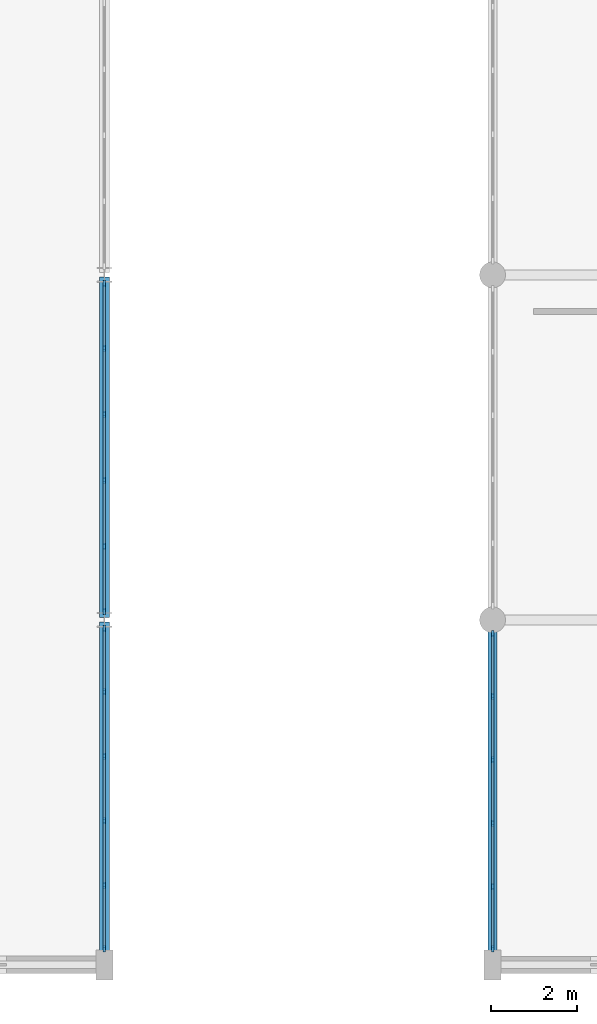
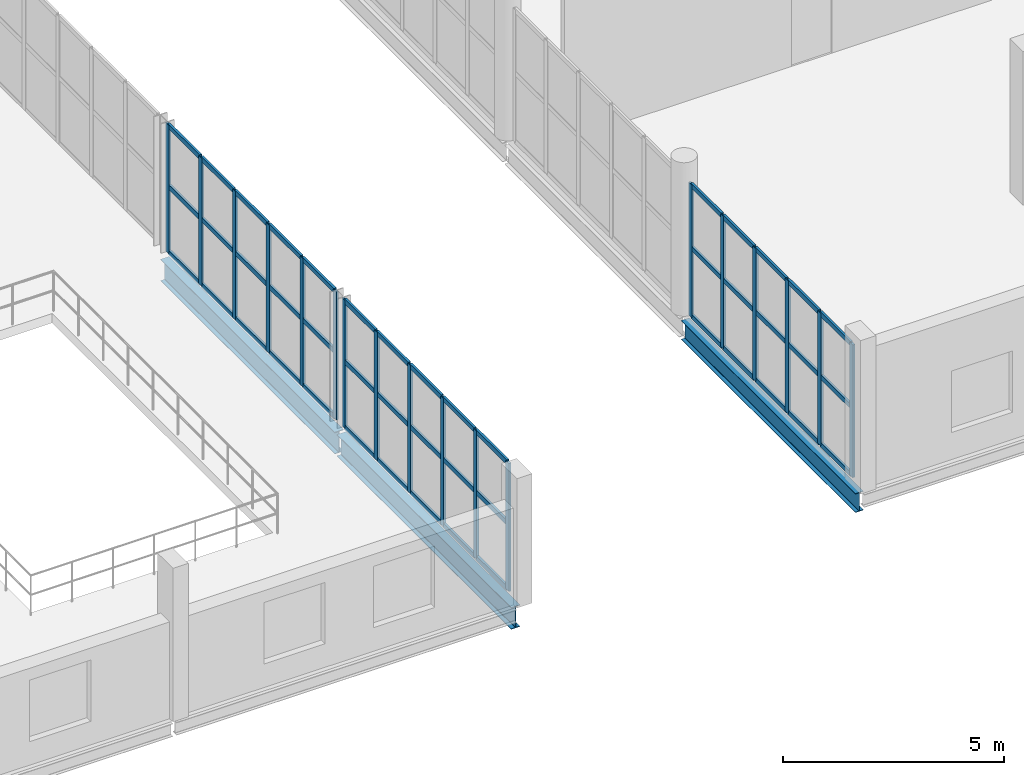
# One storey, part 24 of 73: 63 members, 3 beams, 3 elements without a shape of their own.
"""IFC4 building model written with IfcOpenShell, lengths in metres."""

from ifc_helpers import new_model, si_unit, direction, frame, origin, origin_2d, place, context, subcontext, project, spatial, rectangle, i_section, extrude, material, layer, layer_set, material_profile, profile_set, type_object, element, aggregate, save


model = new_model("IFC4")

# Units and contexts
model_context = context("Model", 3, precision=1e-05, world=origin(), true_north=direction((0.0, 1.0)))
body_context = subcontext(model_context, "Body", "Model", "MODEL_VIEW")
ifc_project = project(units=[si_unit("LENGTHUNIT", "METRE"), si_unit("AREAUNIT", "SQUARE_METRE"), si_unit("VOLUMEUNIT", "CUBIC_METRE"), si_unit("PLANEANGLEUNIT", "RADIAN"), si_unit("MASSUNIT", "GRAM", prefix="KILO")], contexts=[model_context])

# Site, building, storey
site_placement = place(None, origin())
site = spatial("IfcSite", under=ifc_project, at=site_placement, CompositionType="ELEMENT")
building_placement = place(site_placement, origin())
building = spatial("IfcBuilding", under=site, at=building_placement, Name="Marnock Terrace Opera House", CompositionType="ELEMENT")
storey_placement = place(building_placement, frame((0.0, 0.0, 14.699951171875)))
storey = spatial("IfcBuildingStorey", under=building, at=storey_placement, Name="L03", CompositionType="ELEMENT", Elevation=14.699951171875)

# Beams
ifc_material_1 = material(Name="Steel Grade 350 (AS/NZS 3679.1)", Category="steel")
ifc_material_profile_1 = material_profile(ifc_material_1, i_section(OverallWidth=0.208984375, OverallDepth=0.528076171875, WebThickness=0.009521484375, FlangeThickness=0.01318359375, FilletRadius=0.013916015625, at=origin_2d()))
ifc_profile_set_1 = profile_set([ifc_material_profile_1], Name="Steel Grade 350 (AS/NZS 3679.1)")
beam_type_1 = type_object("IfcBeamType", Name="BM-GIRD-530B", PredefinedType="BEAM", material=ifc_profile_set_1)
beam_placement = place(storey_placement, frame((118.0, 8.050048828125, -0.52392578125), z_axis=(0.0, 1.0, 0.0), x_axis=(-1.0, 0.0, 0.0)))
element("IfcBeam", 1, at=beam_placement, inside=storey, type_object=beam_type_1, Name="L03 girder (X=118.0, 8.0..16.0)", PredefinedType="BEAM", context=body_context, shape_type="SweptSolid", body=[
    extrude(i_section(OverallWidth=0.208984375, OverallDepth=0.528076171875, WebThickness=0.009521484375, FlangeThickness=0.01318359375, FilletRadius=0.013916015625, at=origin_2d()), origin(), (0.0, 0.0, 1.0), 7.89990234375),
])
ifc_material_profile_2 = material_profile(ifc_material_1, i_section(OverallWidth=0.22802734375, OverallDepth=0.60205078125, WebThickness=0.010498046875, FlangeThickness=0.014892578125, FilletRadius=0.013916015625, at=origin_2d()))
ifc_profile_set_2 = profile_set([ifc_material_profile_2], Name="Steel Grade 350 (AS/NZS 3679.1)")
beam_type_2 = type_object("IfcBeamType", Name="BM-GIRD-610C", PredefinedType="BEAM", material=ifc_profile_set_2)
for number, where, z_axis, x_axis, name in (
    (2, (109.0, 8.050048828125, -0.56103515625), (0.0, 1.0, 0.0), (-1.0, 0.0, 0.0), "L03 girder (X=109.0, 8.0..16.0)"),
    (3, (109.0, 16.050048828125, -0.56103515625), (0.0, 1.0, 0.0), (-1.0, 0.0, 0.0), "L03 girder (X=109.0, 16.0..24.0)"),
):
    element("IfcBeam", number, at=place(storey_placement, frame(where, z_axis=z_axis, x_axis=x_axis)), inside=storey, type_object=beam_type_2, Name=name, PredefinedType="BEAM", context=body_context, shape_type="SweptSolid", body=[
        extrude(i_section(OverallWidth=0.22802734375, OverallDepth=0.60205078125, WebThickness=0.010498046875, FlangeThickness=0.014892578125, FilletRadius=0.013916015625, at=origin_2d()), origin(), (0.0, 0.0, 1.0), 7.89990234375),
    ])

# Curtain wall, members
ifc_material_2 = material(Name="Anodised architectural bronze aluminium framing", Category="aluminium")
ifc_layer_1 = layer(ifc_material_2, 0.159912109375)
ifc_layer_set_1 = layer_set([ifc_layer_1], Name="Anodised architectural bronze aluminium framing")
curtain_wall_type_1 = type_object("IfcCurtainWallType", Name="CW-FOYER-80x42", PredefinedType="NOTDEFINED", material=ifc_layer_set_1)
curtain_wall_1_placement = place(storey_placement, origin())
curtain_wall_1 = element("IfcCurtainWall", 4, at=curtain_wall_1_placement, inside=storey, type_object=curtain_wall_type_1, Name="L03 glazed Beaux-Arts colonnade curtain wall CW-V1E-L03-01", PredefinedType="NOTDEFINED")
ifc_material_profile_3 = material_profile(ifc_material_2, rectangle(XDim=0.06005859375, YDim=0.14990234375, at=origin_2d()))
ifc_profile_set_3 = profile_set([ifc_material_profile_3], Name="Anodised architectural bronze aluminium framing")
member_type_1 = type_object("IfcMemberType", Name="CWM-60x150", PredefinedType="MULLION", material=ifc_profile_set_3)
member_1_placement = place(storey_placement, frame((109.0, 8.3759765625, 0.0), z_axis=(0.0, 0.0, 1.0), x_axis=(-1.0, 0.0, 0.0)))
member_1 = element("IfcMember", 5, at=member_1_placement, type_object=member_type_1, Name="CW-62 mullion 1", PredefinedType="MULLION", context=body_context, shape_type="SweptSolid", body=[
    extrude(rectangle(XDim=0.06005859375, YDim=0.14990234375, at=origin_2d()), origin(), (0.0, 0.0, 1.0), 3.546142578125),
])
member_2_placement = place(storey_placement, frame((109.0, 9.842529296875, 0.0), z_axis=(0.0, 0.0, 1.0), x_axis=(-1.0, 0.0, 0.0)))
member_2 = element("IfcMember", 6, at=member_2_placement, type_object=member_type_1, Name="CW-62 mullion 2", PredefinedType="MULLION", context=body_context, shape_type="SweptSolid", body=[
    extrude(rectangle(XDim=0.06005859375, YDim=0.14990234375, at=origin_2d()), origin(), (0.0, 0.0, 1.0), 3.546142578125),
])
member_3_placement = place(storey_placement, frame((109.0, 11.339111328125, 0.0), z_axis=(0.0, 0.0, 1.0), x_axis=(-1.0, 0.0, 0.0)))
member_3 = element("IfcMember", 7, at=member_3_placement, type_object=member_type_1, Name="CW-62 mullion 3", PredefinedType="MULLION", context=body_context, shape_type="SweptSolid", body=[
    extrude(rectangle(XDim=0.06005859375, YDim=0.14990234375, at=origin_2d()), origin(), (0.0, 0.0, 1.0), 3.546142578125),
])
member_4_placement = place(storey_placement, frame((109.0, 12.835693359375, 0.0), z_axis=(0.0, 0.0, 1.0), x_axis=(-1.0, 0.0, 0.0)))
member_4 = element("IfcMember", 8, at=member_4_placement, type_object=member_type_1, Name="CW-62 mullion 4", PredefinedType="MULLION", context=body_context, shape_type="SweptSolid", body=[
    extrude(rectangle(XDim=0.06005859375, YDim=0.14990234375, at=origin_2d()), origin(), (0.0, 0.0, 1.0), 3.546142578125),
])
member_5_placement = place(storey_placement, frame((109.0, 14.33251953125, 0.0), z_axis=(0.0, 0.0, 1.0), x_axis=(-1.0, 0.0, 0.0)))
member_5 = element("IfcMember", 9, at=member_5_placement, type_object=member_type_1, Name="CW-62 mullion 5", PredefinedType="MULLION", context=body_context, shape_type="SweptSolid", body=[
    extrude(rectangle(XDim=0.06005859375, YDim=0.14990234375, at=origin_2d()), origin(), (0.0, 0.0, 1.0), 3.546142578125),
])
member_6_placement = place(storey_placement, frame((109.0, 15.799072265625, 0.0), z_axis=(0.0, 0.0, 1.0), x_axis=(-1.0, 0.0, 0.0)))
member_6 = element("IfcMember", 10, at=member_6_placement, type_object=member_type_1, Name="CW-62 mullion 6", PredefinedType="MULLION", context=body_context, shape_type="SweptSolid", body=[
    extrude(rectangle(XDim=0.06005859375, YDim=0.14990234375, at=origin_2d()), origin(), (0.0, 0.0, 1.0), 3.546142578125),
])

curtain_wall_2_placement = place(storey_placement, origin())
curtain_wall_2 = element("IfcCurtainWall", 11, at=curtain_wall_2_placement, inside=storey, type_object=curtain_wall_type_1, Name="L03 glazed Beaux-Arts colonnade curtain wall CW-V1E-L03-02", PredefinedType="NOTDEFINED")
member_7_placement = place(storey_placement, frame((109.0, 16.200927734375, 0.0), z_axis=(0.0, 0.0, 1.0), x_axis=(-1.0, 0.0, 0.0)))
member_7 = element("IfcMember", 12, at=member_7_placement, type_object=member_type_1, Name="CW-62 mullion 1", PredefinedType="MULLION", context=body_context, shape_type="SweptSolid", body=[
    extrude(rectangle(XDim=0.06005859375, YDim=0.14990234375, at=origin_2d()), origin(), (0.0, 0.0, 1.0), 3.546142578125),
])
member_8_placement = place(storey_placement, frame((109.0, 17.70263671875, 0.0), z_axis=(0.0, 0.0, 1.0), x_axis=(-1.0, 0.0, 0.0)))
member_8 = element("IfcMember", 13, at=member_8_placement, type_object=member_type_1, Name="CW-62 mullion 2", PredefinedType="MULLION", context=body_context, shape_type="SweptSolid", body=[
    extrude(rectangle(XDim=0.06005859375, YDim=0.14990234375, at=origin_2d()), origin(), (0.0, 0.0, 1.0), 3.546142578125),
])
member_9_placement = place(storey_placement, frame((109.0, 19.234130859375, 0.0), z_axis=(0.0, 0.0, 1.0), x_axis=(-1.0, 0.0, 0.0)))
member_9 = element("IfcMember", 14, at=member_9_placement, type_object=member_type_1, Name="CW-62 mullion 3", PredefinedType="MULLION", context=body_context, shape_type="SweptSolid", body=[
    extrude(rectangle(XDim=0.06005859375, YDim=0.14990234375, at=origin_2d()), origin(), (0.0, 0.0, 1.0), 3.546142578125),
])
member_10_placement = place(storey_placement, frame((109.0, 20.765869140625, 0.0), z_axis=(0.0, 0.0, 1.0), x_axis=(-1.0, 0.0, 0.0)))
member_10 = element("IfcMember", 15, at=member_10_placement, type_object=member_type_1, Name="CW-62 mullion 4", PredefinedType="MULLION", context=body_context, shape_type="SweptSolid", body=[
    extrude(rectangle(XDim=0.06005859375, YDim=0.14990234375, at=origin_2d()), origin(), (0.0, 0.0, 1.0), 3.546142578125),
])
member_11_placement = place(storey_placement, frame((109.0, 22.29736328125, 0.0), z_axis=(0.0, 0.0, 1.0), x_axis=(-1.0, 0.0, 0.0)))
member_11 = element("IfcMember", 16, at=member_11_placement, type_object=member_type_1, Name="CW-62 mullion 5", PredefinedType="MULLION", context=body_context, shape_type="SweptSolid", body=[
    extrude(rectangle(XDim=0.06005859375, YDim=0.14990234375, at=origin_2d()), origin(), (0.0, 0.0, 1.0), 3.546142578125),
])
member_12_placement = place(storey_placement, frame((109.0, 23.799072265625, 0.0), z_axis=(0.0, 0.0, 1.0), x_axis=(-1.0, 0.0, 0.0)))
member_12 = element("IfcMember", 17, at=member_12_placement, type_object=member_type_1, Name="CW-62 mullion 6", PredefinedType="MULLION", context=body_context, shape_type="SweptSolid", body=[
    extrude(rectangle(XDim=0.06005859375, YDim=0.14990234375, at=origin_2d()), origin(), (0.0, 0.0, 1.0), 3.546142578125),
])

ifc_layer_2 = layer(ifc_material_2, 0.159912109375)
ifc_layer_set_2 = layer_set([ifc_layer_2], Name="Anodised architectural bronze aluminium framing")
curtain_wall_type_2 = type_object("IfcCurtainWallType", Name="CW-LOGGIA-86x42", PredefinedType="NOTDEFINED", material=ifc_layer_set_2)
curtain_wall_3_placement = place(storey_placement, origin())
curtain_wall_3 = element("IfcCurtainWall", 18, at=curtain_wall_3_placement, inside=storey, type_object=curtain_wall_type_2, Name="L03 glazed Beaux-Arts colonnade curtain wall CW-V5-L03-W1", PredefinedType="NOTDEFINED")
member_13_placement = place(storey_placement, frame((118.0, 8.3759765625, 0.0), z_axis=(0.0, 0.0, 1.0), x_axis=(-1.0, 0.0, 0.0)))
member_13 = element("IfcMember", 19, at=member_13_placement, type_object=member_type_1, Name="CW-66 mullion 1", PredefinedType="MULLION", context=body_context, shape_type="SweptSolid", body=[
    extrude(rectangle(XDim=0.06005859375, YDim=0.14990234375, at=origin_2d()), origin(), (0.0, 0.0, 1.0), 3.672119140625),
])
member_14_placement = place(storey_placement, frame((118.0, 9.817626953125, 0.0), z_axis=(0.0, 0.0, 1.0), x_axis=(-1.0, 0.0, 0.0)))
member_14 = element("IfcMember", 20, at=member_14_placement, type_object=member_type_1, Name="CW-66 mullion 2", PredefinedType="MULLION", context=body_context, shape_type="SweptSolid", body=[
    extrude(rectangle(XDim=0.06005859375, YDim=0.14990234375, at=origin_2d()), origin(), (0.0, 0.0, 1.0), 3.672119140625),
])
member_15_placement = place(storey_placement, frame((118.0, 11.289306640625, 0.0), z_axis=(0.0, 0.0, 1.0), x_axis=(-1.0, 0.0, 0.0)))
member_15 = element("IfcMember", 21, at=member_15_placement, type_object=member_type_1, Name="CW-66 mullion 3", PredefinedType="MULLION", context=body_context, shape_type="SweptSolid", body=[
    extrude(rectangle(XDim=0.06005859375, YDim=0.14990234375, at=origin_2d()), origin(), (0.0, 0.0, 1.0), 3.672119140625),
])
member_16_placement = place(storey_placement, frame((118.0, 12.7607421875, 0.0), z_axis=(0.0, 0.0, 1.0), x_axis=(-1.0, 0.0, 0.0)))
member_16 = element("IfcMember", 22, at=member_16_placement, type_object=member_type_1, Name="CW-66 mullion 4", PredefinedType="MULLION", context=body_context, shape_type="SweptSolid", body=[
    extrude(rectangle(XDim=0.06005859375, YDim=0.14990234375, at=origin_2d()), origin(), (0.0, 0.0, 1.0), 3.672119140625),
])
member_17_placement = place(storey_placement, frame((118.0, 14.232421875, 0.0), z_axis=(0.0, 0.0, 1.0), x_axis=(-1.0, 0.0, 0.0)))
member_17 = element("IfcMember", 23, at=member_17_placement, type_object=member_type_1, Name="CW-66 mullion 5", PredefinedType="MULLION", context=body_context, shape_type="SweptSolid", body=[
    extrude(rectangle(XDim=0.06005859375, YDim=0.14990234375, at=origin_2d()), origin(), (0.0, 0.0, 1.0), 3.672119140625),
])
member_18_placement = place(storey_placement, frame((118.0, 15.674072265625, 0.0), z_axis=(0.0, 0.0, 1.0), x_axis=(-1.0, 0.0, 0.0)))
member_18 = element("IfcMember", 24, at=member_18_placement, type_object=member_type_1, Name="CW-66 mullion 6", PredefinedType="MULLION", context=body_context, shape_type="SweptSolid", body=[
    extrude(rectangle(XDim=0.06005859375, YDim=0.14990234375, at=origin_2d()), origin(), (0.0, 0.0, 1.0), 3.672119140625),
])

# Member
ifc_material_profile_4 = material_profile(ifc_material_2, rectangle(XDim=0.06005859375, YDim=0.1298828125, at=origin_2d()))
ifc_profile_set_4 = profile_set([ifc_material_profile_4], Name="Anodised architectural bronze aluminium framing")
member_type_2 = type_object("IfcMemberType", Name="CWT-60x130", PredefinedType="USERDEFINED", material=ifc_profile_set_4)
member_19_placement = place(storey_placement, frame((109.0, 8.406005859375, 0.030029296875), z_axis=(0.0, 1.0, 0.0), x_axis=(-1.0, 0.0, 0.0)))
member_19 = element("IfcMember", 25, at=member_19_placement, type_object=member_type_2, Name="CW-62 transom 1.1", ObjectType="TRANSOM", PredefinedType="USERDEFINED", context=body_context, shape_type="SweptSolid", body=[
    extrude(rectangle(XDim=0.06005859375, YDim=0.1298828125, at=origin_2d()), origin(), (0.0, 0.0, 1.0), 1.406494140625),
])

member_20_placement = place(storey_placement, frame((109.0, 8.406005859375, 1.843994140625), z_axis=(0.0, 1.0, 0.0), x_axis=(-1.0, 0.0, 0.0)))
member_20 = element("IfcMember", 26, at=member_20_placement, type_object=member_type_2, Name="CW-62 transom 1.2", ObjectType="TRANSOM", PredefinedType="USERDEFINED", context=body_context, shape_type="SweptSolid", body=[
    extrude(rectangle(XDim=0.06005859375, YDim=0.1298828125, at=origin_2d()), origin(), (0.0, 0.0, 1.0), 1.406494140625),
])

member_21_placement = place(storey_placement, frame((109.0, 8.406005859375, 3.51611328125), z_axis=(0.0, 1.0, 0.0), x_axis=(-1.0, 0.0, 0.0)))
member_21 = element("IfcMember", 27, at=member_21_placement, type_object=member_type_2, Name="CW-62 transom 1.3", ObjectType="TRANSOM", PredefinedType="USERDEFINED", context=body_context, shape_type="SweptSolid", body=[
    extrude(rectangle(XDim=0.06005859375, YDim=0.1298828125, at=origin_2d()), origin(), (0.0, 0.0, 1.0), 1.406494140625),
])

member_22_placement = place(storey_placement, frame((109.0, 9.87255859375, 0.030029296875), z_axis=(0.0, 1.0, 0.0), x_axis=(-1.0, 0.0, 0.0)))
member_22 = element("IfcMember", 28, at=member_22_placement, type_object=member_type_2, Name="CW-62 transom 2.1", ObjectType="TRANSOM", PredefinedType="USERDEFINED", context=body_context, shape_type="SweptSolid", body=[
    extrude(rectangle(XDim=0.06005859375, YDim=0.1298828125, at=origin_2d()), origin(), (0.0, 0.0, 1.0), 1.4365234375),
])

member_23_placement = place(storey_placement, frame((109.0, 9.87255859375, 1.843994140625), z_axis=(0.0, 1.0, 0.0), x_axis=(-1.0, 0.0, 0.0)))
member_23 = element("IfcMember", 29, at=member_23_placement, type_object=member_type_2, Name="CW-62 transom 2.2", ObjectType="TRANSOM", PredefinedType="USERDEFINED", context=body_context, shape_type="SweptSolid", body=[
    extrude(rectangle(XDim=0.06005859375, YDim=0.1298828125, at=origin_2d()), origin(), (0.0, 0.0, 1.0), 1.4365234375),
])

member_24_placement = place(storey_placement, frame((109.0, 9.87255859375, 3.51611328125), z_axis=(0.0, 1.0, 0.0), x_axis=(-1.0, 0.0, 0.0)))
member_24 = element("IfcMember", 30, at=member_24_placement, type_object=member_type_2, Name="CW-62 transom 2.3", ObjectType="TRANSOM", PredefinedType="USERDEFINED", context=body_context, shape_type="SweptSolid", body=[
    extrude(rectangle(XDim=0.06005859375, YDim=0.1298828125, at=origin_2d()), origin(), (0.0, 0.0, 1.0), 1.4365234375),
])

member_25_placement = place(storey_placement, frame((109.0, 11.369140625, 0.030029296875), z_axis=(0.0, 1.0, 0.0), x_axis=(-1.0, 0.0, 0.0)))
member_25 = element("IfcMember", 31, at=member_25_placement, type_object=member_type_2, Name="CW-62 transom 3.1", ObjectType="TRANSOM", PredefinedType="USERDEFINED", context=body_context, shape_type="SweptSolid", body=[
    extrude(rectangle(XDim=0.06005859375, YDim=0.1298828125, at=origin_2d()), origin(), (0.0, 0.0, 1.0), 1.436767578125),
])

member_26_placement = place(storey_placement, frame((109.0, 11.369140625, 1.843994140625), z_axis=(0.0, 1.0, 0.0), x_axis=(-1.0, 0.0, 0.0)))
member_26 = element("IfcMember", 32, at=member_26_placement, type_object=member_type_2, Name="CW-62 transom 3.2", ObjectType="TRANSOM", PredefinedType="USERDEFINED", context=body_context, shape_type="SweptSolid", body=[
    extrude(rectangle(XDim=0.06005859375, YDim=0.1298828125, at=origin_2d()), origin(), (0.0, 0.0, 1.0), 1.436767578125),
])

member_27_placement = place(storey_placement, frame((109.0, 11.369140625, 3.51611328125), z_axis=(0.0, 1.0, 0.0), x_axis=(-1.0, 0.0, 0.0)))
member_27 = element("IfcMember", 33, at=member_27_placement, type_object=member_type_2, Name="CW-62 transom 3.3", ObjectType="TRANSOM", PredefinedType="USERDEFINED", context=body_context, shape_type="SweptSolid", body=[
    extrude(rectangle(XDim=0.06005859375, YDim=0.1298828125, at=origin_2d()), origin(), (0.0, 0.0, 1.0), 1.436767578125),
])

member_28_placement = place(storey_placement, frame((109.0, 12.86572265625, 0.030029296875), z_axis=(0.0, 1.0, 0.0), x_axis=(-1.0, 0.0, 0.0)))
member_28 = element("IfcMember", 34, at=member_28_placement, type_object=member_type_2, Name="CW-62 transom 4.1", ObjectType="TRANSOM", PredefinedType="USERDEFINED", context=body_context, shape_type="SweptSolid", body=[
    extrude(rectangle(XDim=0.06005859375, YDim=0.1298828125, at=origin_2d()), origin(), (0.0, 0.0, 1.0), 1.436767578125),
])

member_29_placement = place(storey_placement, frame((109.0, 12.86572265625, 1.843994140625), z_axis=(0.0, 1.0, 0.0), x_axis=(-1.0, 0.0, 0.0)))
member_29 = element("IfcMember", 35, at=member_29_placement, type_object=member_type_2, Name="CW-62 transom 4.2", ObjectType="TRANSOM", PredefinedType="USERDEFINED", context=body_context, shape_type="SweptSolid", body=[
    extrude(rectangle(XDim=0.06005859375, YDim=0.1298828125, at=origin_2d()), origin(), (0.0, 0.0, 1.0), 1.436767578125),
])

member_30_placement = place(storey_placement, frame((109.0, 12.86572265625, 3.51611328125), z_axis=(0.0, 1.0, 0.0), x_axis=(-1.0, 0.0, 0.0)))
member_30 = element("IfcMember", 36, at=member_30_placement, type_object=member_type_2, Name="CW-62 transom 4.3", ObjectType="TRANSOM", PredefinedType="USERDEFINED", context=body_context, shape_type="SweptSolid", body=[
    extrude(rectangle(XDim=0.06005859375, YDim=0.1298828125, at=origin_2d()), origin(), (0.0, 0.0, 1.0), 1.436767578125),
])

member_31_placement = place(storey_placement, frame((109.0, 14.3623046875, 0.030029296875), z_axis=(0.0, 1.0, 0.0), x_axis=(-1.0, 0.0, 0.0)))
member_31 = element("IfcMember", 37, at=member_31_placement, type_object=member_type_2, Name="CW-62 transom 5.1", ObjectType="TRANSOM", PredefinedType="USERDEFINED", context=body_context, shape_type="SweptSolid", body=[
    extrude(rectangle(XDim=0.06005859375, YDim=0.1298828125, at=origin_2d()), origin(), (0.0, 0.0, 1.0), 1.40673828125),
])

member_32_placement = place(storey_placement, frame((109.0, 14.3623046875, 1.843994140625), z_axis=(0.0, 1.0, 0.0), x_axis=(-1.0, 0.0, 0.0)))
member_32 = element("IfcMember", 38, at=member_32_placement, type_object=member_type_2, Name="CW-62 transom 5.2", ObjectType="TRANSOM", PredefinedType="USERDEFINED", context=body_context, shape_type="SweptSolid", body=[
    extrude(rectangle(XDim=0.06005859375, YDim=0.1298828125, at=origin_2d()), origin(), (0.0, 0.0, 1.0), 1.40673828125),
])

member_33_placement = place(storey_placement, frame((109.0, 14.3623046875, 3.51611328125), z_axis=(0.0, 1.0, 0.0), x_axis=(-1.0, 0.0, 0.0)))
member_33 = element("IfcMember", 39, at=member_33_placement, type_object=member_type_2, Name="CW-62 transom 5.3", ObjectType="TRANSOM", PredefinedType="USERDEFINED", context=body_context, shape_type="SweptSolid", body=[
    extrude(rectangle(XDim=0.06005859375, YDim=0.1298828125, at=origin_2d()), origin(), (0.0, 0.0, 1.0), 1.40673828125),
])

aggregate(curtain_wall_1, [member_1, member_2, member_3, member_4, member_5, member_6, member_19, member_20, member_21, member_22, member_23, member_24, member_25, member_26, member_27, member_28, member_29, member_30, member_31, member_32, member_33])

member_34_placement = place(storey_placement, frame((109.0, 16.23095703125, 0.030029296875), z_axis=(0.0, 1.0, 0.0), x_axis=(-1.0, 0.0, 0.0)))
member_34 = element("IfcMember", 40, at=member_34_placement, type_object=member_type_2, Name="CW-62 transom 1.1", ObjectType="TRANSOM", PredefinedType="USERDEFINED", context=body_context, shape_type="SweptSolid", body=[
    extrude(rectangle(XDim=0.06005859375, YDim=0.1298828125, at=origin_2d()), origin(), (0.0, 0.0, 1.0), 1.441650390625),
])

member_35_placement = place(storey_placement, frame((109.0, 16.23095703125, 1.843994140625), z_axis=(0.0, 1.0, 0.0), x_axis=(-1.0, 0.0, 0.0)))
member_35 = element("IfcMember", 41, at=member_35_placement, type_object=member_type_2, Name="CW-62 transom 1.2", ObjectType="TRANSOM", PredefinedType="USERDEFINED", context=body_context, shape_type="SweptSolid", body=[
    extrude(rectangle(XDim=0.06005859375, YDim=0.1298828125, at=origin_2d()), origin(), (0.0, 0.0, 1.0), 1.441650390625),
])

member_36_placement = place(storey_placement, frame((109.0, 16.23095703125, 3.51611328125), z_axis=(0.0, 1.0, 0.0), x_axis=(-1.0, 0.0, 0.0)))
member_36 = element("IfcMember", 42, at=member_36_placement, type_object=member_type_2, Name="CW-62 transom 1.3", ObjectType="TRANSOM", PredefinedType="USERDEFINED", context=body_context, shape_type="SweptSolid", body=[
    extrude(rectangle(XDim=0.06005859375, YDim=0.1298828125, at=origin_2d()), origin(), (0.0, 0.0, 1.0), 1.441650390625),
])

member_37_placement = place(storey_placement, frame((109.0, 17.732666015625, 0.030029296875), z_axis=(0.0, 1.0, 0.0), x_axis=(-1.0, 0.0, 0.0)))
member_37 = element("IfcMember", 43, at=member_37_placement, type_object=member_type_2, Name="CW-62 transom 2.1", ObjectType="TRANSOM", PredefinedType="USERDEFINED", context=body_context, shape_type="SweptSolid", body=[
    extrude(rectangle(XDim=0.06005859375, YDim=0.1298828125, at=origin_2d()), origin(), (0.0, 0.0, 1.0), 1.471435546875),
])

member_38_placement = place(storey_placement, frame((109.0, 17.732666015625, 1.843994140625), z_axis=(0.0, 1.0, 0.0), x_axis=(-1.0, 0.0, 0.0)))
member_38 = element("IfcMember", 44, at=member_38_placement, type_object=member_type_2, Name="CW-62 transom 2.2", ObjectType="TRANSOM", PredefinedType="USERDEFINED", context=body_context, shape_type="SweptSolid", body=[
    extrude(rectangle(XDim=0.06005859375, YDim=0.1298828125, at=origin_2d()), origin(), (0.0, 0.0, 1.0), 1.471435546875),
])

member_39_placement = place(storey_placement, frame((109.0, 17.732666015625, 3.51611328125), z_axis=(0.0, 1.0, 0.0), x_axis=(-1.0, 0.0, 0.0)))
member_39 = element("IfcMember", 45, at=member_39_placement, type_object=member_type_2, Name="CW-62 transom 2.3", ObjectType="TRANSOM", PredefinedType="USERDEFINED", context=body_context, shape_type="SweptSolid", body=[
    extrude(rectangle(XDim=0.06005859375, YDim=0.1298828125, at=origin_2d()), origin(), (0.0, 0.0, 1.0), 1.471435546875),
])

member_40_placement = place(storey_placement, frame((109.0, 19.26416015625, 0.030029296875), z_axis=(0.0, 1.0, 0.0), x_axis=(-1.0, 0.0, 0.0)))
member_40 = element("IfcMember", 46, at=member_40_placement, type_object=member_type_2, Name="CW-62 transom 3.1", ObjectType="TRANSOM", PredefinedType="USERDEFINED", context=body_context, shape_type="SweptSolid", body=[
    extrude(rectangle(XDim=0.06005859375, YDim=0.1298828125, at=origin_2d()), origin(), (0.0, 0.0, 1.0), 1.4716796875),
])

member_41_placement = place(storey_placement, frame((109.0, 19.26416015625, 1.843994140625), z_axis=(0.0, 1.0, 0.0), x_axis=(-1.0, 0.0, 0.0)))
member_41 = element("IfcMember", 47, at=member_41_placement, type_object=member_type_2, Name="CW-62 transom 3.2", ObjectType="TRANSOM", PredefinedType="USERDEFINED", context=body_context, shape_type="SweptSolid", body=[
    extrude(rectangle(XDim=0.06005859375, YDim=0.1298828125, at=origin_2d()), origin(), (0.0, 0.0, 1.0), 1.4716796875),
])

member_42_placement = place(storey_placement, frame((109.0, 19.26416015625, 3.51611328125), z_axis=(0.0, 1.0, 0.0), x_axis=(-1.0, 0.0, 0.0)))
member_42 = element("IfcMember", 48, at=member_42_placement, type_object=member_type_2, Name="CW-62 transom 3.3", ObjectType="TRANSOM", PredefinedType="USERDEFINED", context=body_context, shape_type="SweptSolid", body=[
    extrude(rectangle(XDim=0.06005859375, YDim=0.1298828125, at=origin_2d()), origin(), (0.0, 0.0, 1.0), 1.4716796875),
])

member_43_placement = place(storey_placement, frame((109.0, 20.7958984375, 0.030029296875), z_axis=(0.0, 1.0, 0.0), x_axis=(-1.0, 0.0, 0.0)))
member_43 = element("IfcMember", 49, at=member_43_placement, type_object=member_type_2, Name="CW-62 transom 4.1", ObjectType="TRANSOM", PredefinedType="USERDEFINED", context=body_context, shape_type="SweptSolid", body=[
    extrude(rectangle(XDim=0.06005859375, YDim=0.1298828125, at=origin_2d()), origin(), (0.0, 0.0, 1.0), 1.471435546875),
])

member_44_placement = place(storey_placement, frame((109.0, 20.7958984375, 1.843994140625), z_axis=(0.0, 1.0, 0.0), x_axis=(-1.0, 0.0, 0.0)))
member_44 = element("IfcMember", 50, at=member_44_placement, type_object=member_type_2, Name="CW-62 transom 4.2", ObjectType="TRANSOM", PredefinedType="USERDEFINED", context=body_context, shape_type="SweptSolid", body=[
    extrude(rectangle(XDim=0.06005859375, YDim=0.1298828125, at=origin_2d()), origin(), (0.0, 0.0, 1.0), 1.471435546875),
])

member_45_placement = place(storey_placement, frame((109.0, 20.7958984375, 3.51611328125), z_axis=(0.0, 1.0, 0.0), x_axis=(-1.0, 0.0, 0.0)))
member_45 = element("IfcMember", 51, at=member_45_placement, type_object=member_type_2, Name="CW-62 transom 4.3", ObjectType="TRANSOM", PredefinedType="USERDEFINED", context=body_context, shape_type="SweptSolid", body=[
    extrude(rectangle(XDim=0.06005859375, YDim=0.1298828125, at=origin_2d()), origin(), (0.0, 0.0, 1.0), 1.471435546875),
])

member_46_placement = place(storey_placement, frame((109.0, 22.327392578125, 0.030029296875), z_axis=(0.0, 1.0, 0.0), x_axis=(-1.0, 0.0, 0.0)))
member_46 = element("IfcMember", 52, at=member_46_placement, type_object=member_type_2, Name="CW-62 transom 5.1", ObjectType="TRANSOM", PredefinedType="USERDEFINED", context=body_context, shape_type="SweptSolid", body=[
    extrude(rectangle(XDim=0.06005859375, YDim=0.1298828125, at=origin_2d()), origin(), (0.0, 0.0, 1.0), 1.441650390625),
])

member_47_placement = place(storey_placement, frame((109.0, 22.327392578125, 1.843994140625), z_axis=(0.0, 1.0, 0.0), x_axis=(-1.0, 0.0, 0.0)))
member_47 = element("IfcMember", 53, at=member_47_placement, type_object=member_type_2, Name="CW-62 transom 5.2", ObjectType="TRANSOM", PredefinedType="USERDEFINED", context=body_context, shape_type="SweptSolid", body=[
    extrude(rectangle(XDim=0.06005859375, YDim=0.1298828125, at=origin_2d()), origin(), (0.0, 0.0, 1.0), 1.441650390625),
])

member_48_placement = place(storey_placement, frame((109.0, 22.327392578125, 3.51611328125), z_axis=(0.0, 1.0, 0.0), x_axis=(-1.0, 0.0, 0.0)))
member_48 = element("IfcMember", 54, at=member_48_placement, type_object=member_type_2, Name="CW-62 transom 5.3", ObjectType="TRANSOM", PredefinedType="USERDEFINED", context=body_context, shape_type="SweptSolid", body=[
    extrude(rectangle(XDim=0.06005859375, YDim=0.1298828125, at=origin_2d()), origin(), (0.0, 0.0, 1.0), 1.441650390625),
])

aggregate(curtain_wall_2, [member_7, member_8, member_9, member_10, member_11, member_12, member_34, member_35, member_36, member_37, member_38, member_39, member_40, member_41, member_42, member_43, member_44, member_45, member_46, member_47, member_48])

member_49_placement = place(storey_placement, frame((118.0, 8.406005859375, 0.030029296875), z_axis=(0.0, 1.0, 0.0), x_axis=(-1.0, 0.0, 0.0)))
member_49 = element("IfcMember", 55, at=member_49_placement, type_object=member_type_2, Name="CW-66 transom 1.1", ObjectType="TRANSOM", PredefinedType="USERDEFINED", context=body_context, shape_type="SweptSolid", body=[
    extrude(rectangle(XDim=0.06005859375, YDim=0.1298828125, at=origin_2d()), origin(), (0.0, 0.0, 1.0), 1.381591796875),
])

member_50_placement = place(storey_placement, frame((118.0, 8.406005859375, 1.909423828125), z_axis=(0.0, 1.0, 0.0), x_axis=(-1.0, 0.0, 0.0)))
member_50 = element("IfcMember", 56, at=member_50_placement, type_object=member_type_2, Name="CW-66 transom 1.2", ObjectType="TRANSOM", PredefinedType="USERDEFINED", context=body_context, shape_type="SweptSolid", body=[
    extrude(rectangle(XDim=0.06005859375, YDim=0.1298828125, at=origin_2d()), origin(), (0.0, 0.0, 1.0), 1.381591796875),
])

member_51_placement = place(storey_placement, frame((118.0, 8.406005859375, 3.64208984375), z_axis=(0.0, 1.0, 0.0), x_axis=(-1.0, 0.0, 0.0)))
member_51 = element("IfcMember", 57, at=member_51_placement, type_object=member_type_2, Name="CW-66 transom 1.3", ObjectType="TRANSOM", PredefinedType="USERDEFINED", context=body_context, shape_type="SweptSolid", body=[
    extrude(rectangle(XDim=0.06005859375, YDim=0.1298828125, at=origin_2d()), origin(), (0.0, 0.0, 1.0), 1.381591796875),
])

member_52_placement = place(storey_placement, frame((118.0, 9.84765625, 0.030029296875), z_axis=(0.0, 1.0, 0.0), x_axis=(-1.0, 0.0, 0.0)))
member_52 = element("IfcMember", 58, at=member_52_placement, type_object=member_type_2, Name="CW-66 transom 2.1", ObjectType="TRANSOM", PredefinedType="USERDEFINED", context=body_context, shape_type="SweptSolid", body=[
    extrude(rectangle(XDim=0.06005859375, YDim=0.1298828125, at=origin_2d()), origin(), (0.0, 0.0, 1.0), 1.41162109375),
])

member_53_placement = place(storey_placement, frame((118.0, 9.84765625, 1.909423828125), z_axis=(0.0, 1.0, 0.0), x_axis=(-1.0, 0.0, 0.0)))
member_53 = element("IfcMember", 59, at=member_53_placement, type_object=member_type_2, Name="CW-66 transom 2.2", ObjectType="TRANSOM", PredefinedType="USERDEFINED", context=body_context, shape_type="SweptSolid", body=[
    extrude(rectangle(XDim=0.06005859375, YDim=0.1298828125, at=origin_2d()), origin(), (0.0, 0.0, 1.0), 1.41162109375),
])

member_54_placement = place(storey_placement, frame((118.0, 9.84765625, 3.64208984375), z_axis=(0.0, 1.0, 0.0), x_axis=(-1.0, 0.0, 0.0)))
member_54 = element("IfcMember", 60, at=member_54_placement, type_object=member_type_2, Name="CW-66 transom 2.3", ObjectType="TRANSOM", PredefinedType="USERDEFINED", context=body_context, shape_type="SweptSolid", body=[
    extrude(rectangle(XDim=0.06005859375, YDim=0.1298828125, at=origin_2d()), origin(), (0.0, 0.0, 1.0), 1.41162109375),
])

member_55_placement = place(storey_placement, frame((118.0, 11.319091796875, 0.030029296875), z_axis=(0.0, 1.0, 0.0), x_axis=(-1.0, 0.0, 0.0)))
member_55 = element("IfcMember", 61, at=member_55_placement, type_object=member_type_2, Name="CW-66 transom 3.1", ObjectType="TRANSOM", PredefinedType="USERDEFINED", context=body_context, shape_type="SweptSolid", body=[
    extrude(rectangle(XDim=0.06005859375, YDim=0.1298828125, at=origin_2d()), origin(), (0.0, 0.0, 1.0), 1.41162109375),
])

member_56_placement = place(storey_placement, frame((118.0, 11.319091796875, 1.909423828125), z_axis=(0.0, 1.0, 0.0), x_axis=(-1.0, 0.0, 0.0)))
member_56 = element("IfcMember", 62, at=member_56_placement, type_object=member_type_2, Name="CW-66 transom 3.2", ObjectType="TRANSOM", PredefinedType="USERDEFINED", context=body_context, shape_type="SweptSolid", body=[
    extrude(rectangle(XDim=0.06005859375, YDim=0.1298828125, at=origin_2d()), origin(), (0.0, 0.0, 1.0), 1.41162109375),
])

member_57_placement = place(storey_placement, frame((118.0, 11.319091796875, 3.64208984375), z_axis=(0.0, 1.0, 0.0), x_axis=(-1.0, 0.0, 0.0)))
member_57 = element("IfcMember", 63, at=member_57_placement, type_object=member_type_2, Name="CW-66 transom 3.3", ObjectType="TRANSOM", PredefinedType="USERDEFINED", context=body_context, shape_type="SweptSolid", body=[
    extrude(rectangle(XDim=0.06005859375, YDim=0.1298828125, at=origin_2d()), origin(), (0.0, 0.0, 1.0), 1.41162109375),
])

member_58_placement = place(storey_placement, frame((118.0, 12.790771484375, 0.030029296875), z_axis=(0.0, 1.0, 0.0), x_axis=(-1.0, 0.0, 0.0)))
member_58 = element("IfcMember", 64, at=member_58_placement, type_object=member_type_2, Name="CW-66 transom 4.1", ObjectType="TRANSOM", PredefinedType="USERDEFINED", context=body_context, shape_type="SweptSolid", body=[
    extrude(rectangle(XDim=0.06005859375, YDim=0.1298828125, at=origin_2d()), origin(), (0.0, 0.0, 1.0), 1.41162109375),
])

member_59_placement = place(storey_placement, frame((118.0, 12.790771484375, 1.909423828125), z_axis=(0.0, 1.0, 0.0), x_axis=(-1.0, 0.0, 0.0)))
member_59 = element("IfcMember", 65, at=member_59_placement, type_object=member_type_2, Name="CW-66 transom 4.2", ObjectType="TRANSOM", PredefinedType="USERDEFINED", context=body_context, shape_type="SweptSolid", body=[
    extrude(rectangle(XDim=0.06005859375, YDim=0.1298828125, at=origin_2d()), origin(), (0.0, 0.0, 1.0), 1.41162109375),
])

member_60_placement = place(storey_placement, frame((118.0, 12.790771484375, 3.64208984375), z_axis=(0.0, 1.0, 0.0), x_axis=(-1.0, 0.0, 0.0)))
member_60 = element("IfcMember", 66, at=member_60_placement, type_object=member_type_2, Name="CW-66 transom 4.3", ObjectType="TRANSOM", PredefinedType="USERDEFINED", context=body_context, shape_type="SweptSolid", body=[
    extrude(rectangle(XDim=0.06005859375, YDim=0.1298828125, at=origin_2d()), origin(), (0.0, 0.0, 1.0), 1.41162109375),
])

member_61_placement = place(storey_placement, frame((118.0, 14.262451171875, 0.030029296875), z_axis=(0.0, 1.0, 0.0), x_axis=(-1.0, 0.0, 0.0)))
member_61 = element("IfcMember", 67, at=member_61_placement, type_object=member_type_2, Name="CW-66 transom 5.1", ObjectType="TRANSOM", PredefinedType="USERDEFINED", context=body_context, shape_type="SweptSolid", body=[
    extrude(rectangle(XDim=0.06005859375, YDim=0.1298828125, at=origin_2d()), origin(), (0.0, 0.0, 1.0), 1.381591796875),
])

member_62_placement = place(storey_placement, frame((118.0, 14.262451171875, 1.909423828125), z_axis=(0.0, 1.0, 0.0), x_axis=(-1.0, 0.0, 0.0)))
member_62 = element("IfcMember", 68, at=member_62_placement, type_object=member_type_2, Name="CW-66 transom 5.2", ObjectType="TRANSOM", PredefinedType="USERDEFINED", context=body_context, shape_type="SweptSolid", body=[
    extrude(rectangle(XDim=0.06005859375, YDim=0.1298828125, at=origin_2d()), origin(), (0.0, 0.0, 1.0), 1.381591796875),
])

member_63_placement = place(storey_placement, frame((118.0, 14.262451171875, 3.64208984375), z_axis=(0.0, 1.0, 0.0), x_axis=(-1.0, 0.0, 0.0)))
member_63 = element("IfcMember", 69, at=member_63_placement, type_object=member_type_2, Name="CW-66 transom 5.3", ObjectType="TRANSOM", PredefinedType="USERDEFINED", context=body_context, shape_type="SweptSolid", body=[
    extrude(rectangle(XDim=0.06005859375, YDim=0.1298828125, at=origin_2d()), origin(), (0.0, 0.0, 1.0), 1.381591796875),
])

aggregate(curtain_wall_3, [member_13, member_14, member_15, member_16, member_17, member_18, member_49, member_50, member_51, member_52, member_53, member_54, member_55, member_56, member_57, member_58, member_59, member_60, member_61, member_62, member_63])

save(model, "model.ifc")
